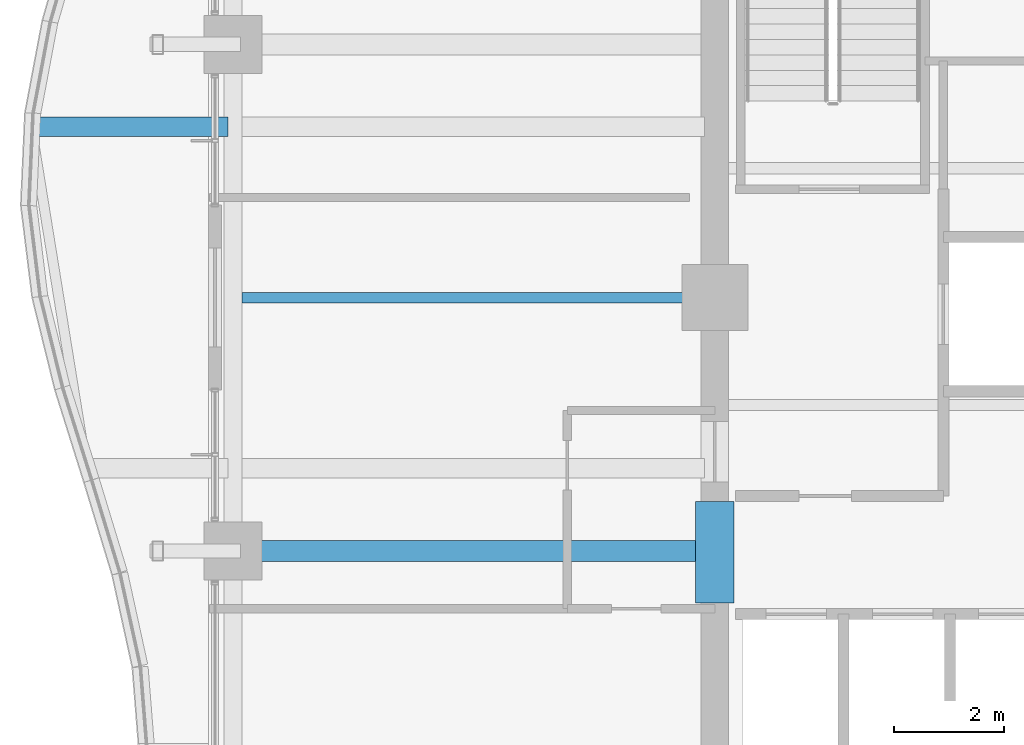
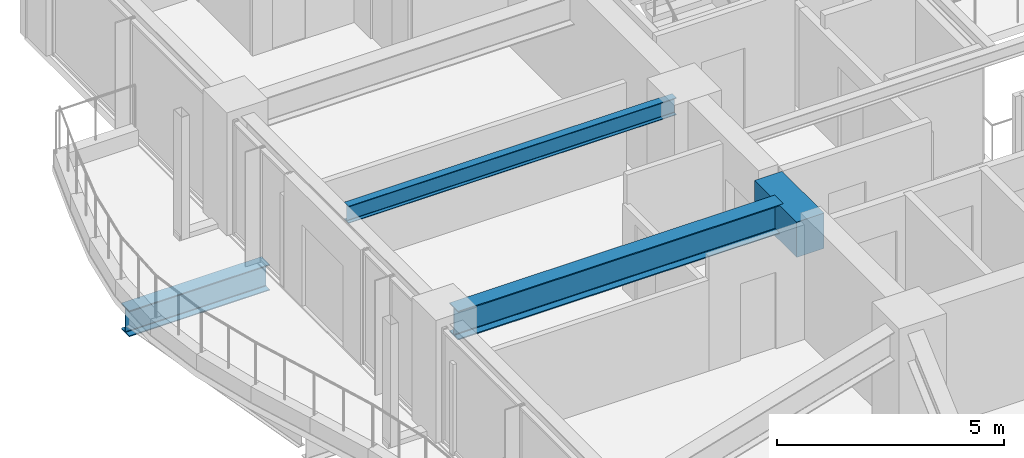
# One storey, part 10 of 38: 4 beams.
"""IFC4 building model written with IfcOpenShell, lengths in metres."""

from ifc_helpers import new_model, si_unit, direction, frame, origin, origin_2d, place, context, subcontext, project, spatial, rectangle, i_section, extrude, material, material_profile, profile_set, type_object, element, save


model = new_model("IFC4")

# Units and contexts
model_context = context("Model", 3, precision=1e-05, world=origin(), true_north=direction((0.0, 1.0)))
body_context = subcontext(model_context, "Body", "Model", "MODEL_VIEW")
ifc_project = project(units=[si_unit("LENGTHUNIT", "METRE"), si_unit("AREAUNIT", "SQUARE_METRE"), si_unit("VOLUMEUNIT", "CUBIC_METRE"), si_unit("PLANEANGLEUNIT", "RADIAN"), si_unit("MASSUNIT", "GRAM", prefix="KILO")], contexts=[model_context])

# Site, building, storey
site_placement = place(None, origin())
site = spatial("IfcSite", under=ifc_project, at=site_placement, CompositionType="ELEMENT")
building_placement = place(site_placement, origin())
building = spatial("IfcBuilding", under=site, at=building_placement, Name="Kolvaren Belvedere", CompositionType="ELEMENT")
storey_placement = place(building_placement, frame((0.0, 0.0, 121.699951171875)))
storey = spatial("IfcBuildingStorey", under=building, at=storey_placement, Name="L35", CompositionType="ELEMENT", Elevation=121.699951171875)

# Beams
ifc_material_1 = material(Name="Structural steel ASTM A992 Grade 50", Category="steel")
ifc_material_profile_1 = material_profile(ifc_material_1, i_section(OverallWidth=0.35498046875, OverallDepth=0.696044921875, WebThickness=0.015380859375, FlangeThickness=0.02490234375, FilletRadius=0.02197265625, at=origin_2d()), Name="W27X146")
ifc_profile_set_1 = profile_set([ifc_material_profile_1], Name="Structural steel ASTM A992 Grade 50")
beam_type_1 = type_object("IfcBeamType", Name="BM-CANT-BAL", PredefinedType="BEAM", material=ifc_profile_set_1)
beam_1_placement = place(storey_placement, frame((-18.7451171875, 3.10009765625, -0.56787109375), z_axis=(-1.0, 0.0, 0.0), x_axis=(0.0, -1.0, 0.0)))
element("IfcBeam", 1, at=beam_1_placement, inside=storey, type_object=beam_type_1, Name="L35 Planted Balcony Cantilever BAL-W-2", PredefinedType="BEAM", context=body_context, shape_type="SweptSolid", body=[
    extrude(i_section(OverallWidth=0.35498046875, OverallDepth=0.696044921875, WebThickness=0.015380859375, FlangeThickness=0.02490234375, FilletRadius=0.02197265625, at=origin_2d()), origin(), (0.0, 0.0, 1.0), 3.57080078125),
])
ifc_material_2 = material(Name="Structural steel ASTM A992 Grade 50", Category="steel")
ifc_material_profile_2 = material_profile(ifc_material_2, i_section(OverallWidth=0.381103515625, OverallDepth=0.77294921875, WebThickness=0.0166015625, FlangeThickness=0.027099609375, FilletRadius=0.02392578125, at=origin_2d()), Name="W30X173")
ifc_profile_set_2 = profile_set([ifc_material_profile_2], Name="Structural steel ASTM A992 Grade 50")
beam_type_2 = type_object("IfcBeamType", Name="BM-GIRD-W30X173", PredefinedType="BEAM", material=ifc_profile_set_2)
beam_2_placement = place(storey_placement, frame((-10.14990234375, -4.60009765625, 2.693603515625), z_axis=(-1.0, 0.0, 0.0), x_axis=(0.0, -1.0, 0.0)))
element("IfcBeam", 2, at=beam_2_placement, inside=storey, type_object=beam_type_2, Name="L35 West Radial Girder M", PredefinedType="BEAM", context=body_context, shape_type="SweptSolid", body=[
    extrude(i_section(OverallWidth=0.381103515625, OverallDepth=0.77294921875, WebThickness=0.0166015625, FlangeThickness=0.027099609375, FilletRadius=0.02392578125, at=origin_2d()), origin(), (0.0, 0.0, 1.0), 8.263916015625),
])
ifc_material_3 = material(Name="Structural steel ASTM A992 Grade 50", Category="steel")
ifc_material_profile_3 = material_profile(ifc_material_3, i_section(OverallWidth=0.19091796875, OverallDepth=0.4599609375, WebThickness=0.010009765625, FlangeThickness=0.01611328125, FilletRadius=0.014892578125, at=origin_2d()), Name="W18X55")
ifc_profile_set_3 = profile_set([ifc_material_profile_3], Name="Structural steel ASTM A992 Grade 50")
beam_type_3 = type_object("IfcBeamType", Name="BM-JOIST-W18X55", PredefinedType="BEAM", material=ifc_profile_set_3)
beam_3_placement = place(storey_placement, frame((-10.14990234375, 0.0, 2.85009765625), z_axis=(-1.0, 0.0, 0.0), x_axis=(0.0, -1.0, 0.0)))
element("IfcBeam", 3, at=beam_3_placement, inside=storey, type_object=beam_type_3, Name="L35 West Centre Floor Beam", PredefinedType="BEAM", context=body_context, shape_type="SweptSolid", body=[
    extrude(i_section(OverallWidth=0.19091796875, OverallDepth=0.4599609375, WebThickness=0.010009765625, FlangeThickness=0.01611328125, FilletRadius=0.014892578125, at=origin_2d()), origin(), (0.0, 0.0, 1.0), 8.337646484375),
])
ifc_material_4 = material(Name="Concrete C60/75", Category="concrete")
ifc_material_profile_4 = material_profile(ifc_material_4, rectangle(XDim=0.699951171875, YDim=0.949951171875, at=origin_2d()), Name="RC 700X950")
ifc_profile_set_4 = profile_set([ifc_material_profile_4], Name="Concrete C60/75")
beam_type_4 = type_object("IfcBeamType", Name="BM-LINT-950", PredefinedType="LINTEL", material=ifc_profile_set_4)
beam_4_placement = place(storey_placement, frame((-9.89990234375, -5.550048828125, 2.60498046875), z_axis=(0.0, 1.0, 0.0), x_axis=(-1.0, 0.0, 0.0)))
element("IfcBeam", 4, at=beam_4_placement, inside=storey, type_object=beam_type_4, Name="L35 West Core Coupling Lintel", PredefinedType="LINTEL", context=body_context, shape_type="SweptSolid", body=[
    extrude(rectangle(XDim=0.699951171875, YDim=0.949951171875, at=origin_2d()), origin(), (0.0, 0.0, 1.0), 1.85009765625),
])

save(model, "model.ifc")
